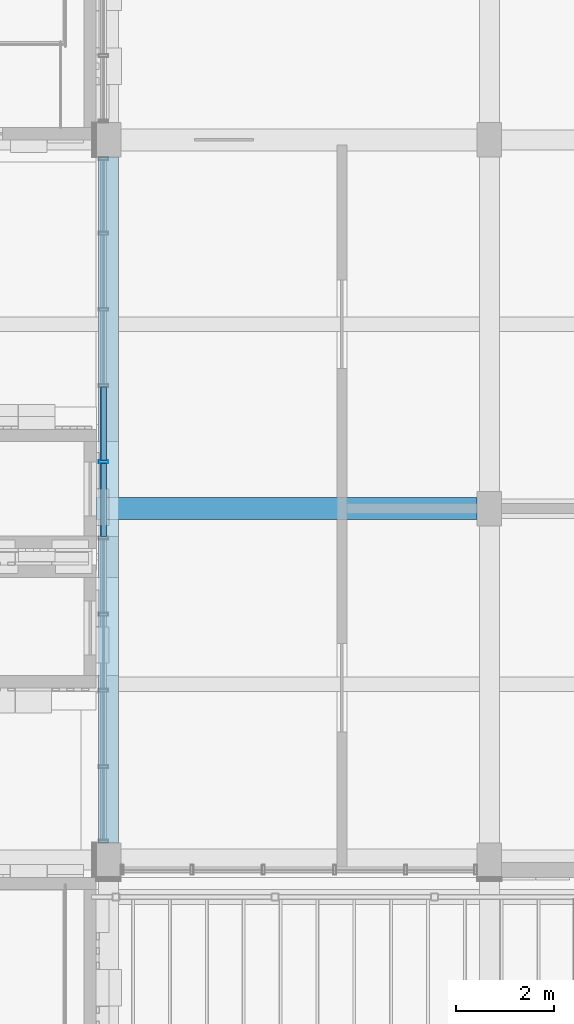
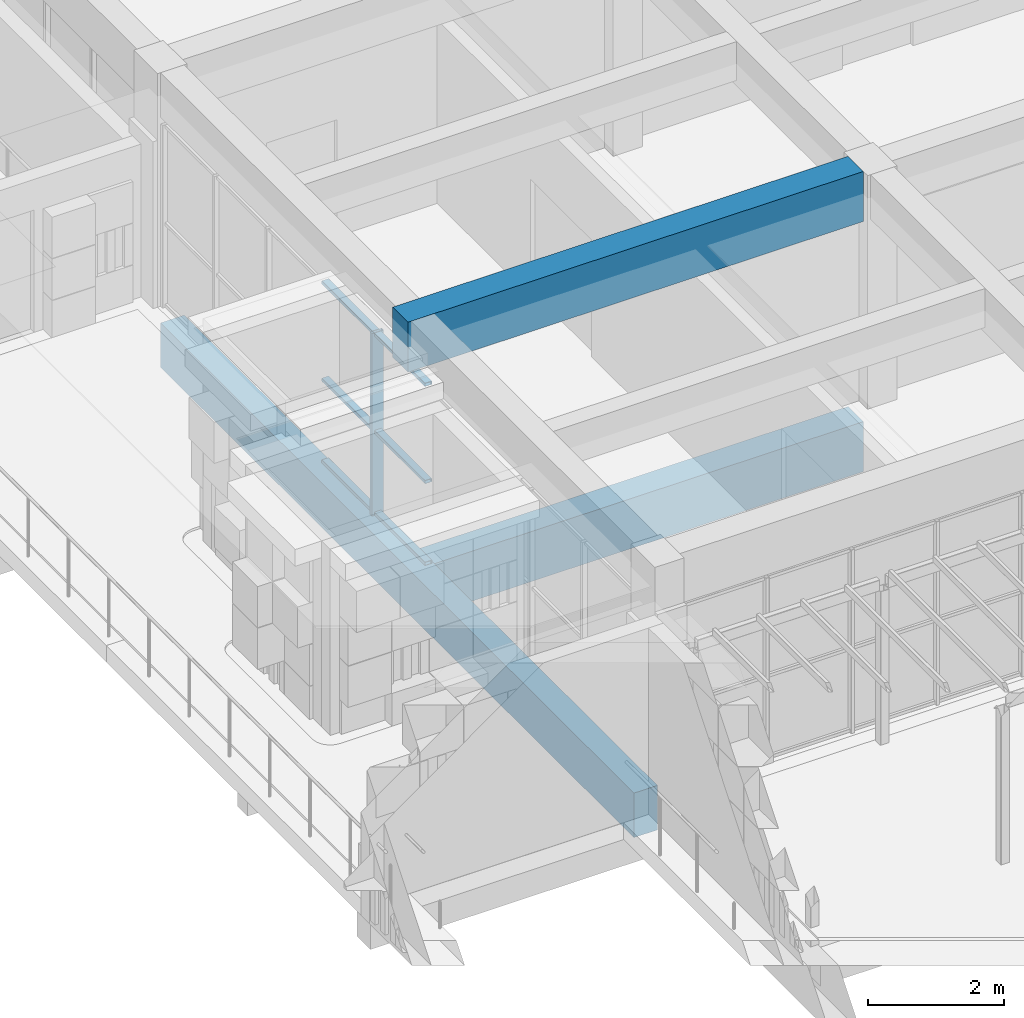
# One storey, part 6 of 26: 7 members, 3 beams, 1 element without a shape of its own.
"""IFC4 building model written with IfcOpenShell, lengths in metres."""

from ifc_helpers import new_model, si_unit, direction, frame, origin, origin_2d, place, context, subcontext, project, spatial, rectangle, hollow_rectangle, extrude, material, material_profile, profile_set, type_object, element, aggregate, save


model = new_model("IFC4")

# Units and contexts
model_context = context("Model", 3, precision=1e-05, world=origin(), true_north=direction((0.0, 1.0)))
body_context = subcontext(model_context, "Body", "Model", "MODEL_VIEW")
ifc_project = project(units=[si_unit("LENGTHUNIT", "METRE"), si_unit("AREAUNIT", "SQUARE_METRE"), si_unit("VOLUMEUNIT", "CUBIC_METRE"), si_unit("PLANEANGLEUNIT", "RADIAN"), si_unit("MASSUNIT", "GRAM", prefix="KILO")], contexts=[model_context])

# Site, building, storey
site_placement = place(None, origin())
site = spatial("IfcSite", under=ifc_project, at=site_placement, CompositionType="ELEMENT")
building_placement = place(site_placement, origin())
building = spatial("IfcBuilding", under=site, at=building_placement, Name="Sun Court Science Centre", CompositionType="ELEMENT")
storey_placement = place(building_placement, frame((0.0, 0.0, 29.25)))
storey = spatial("IfcBuildingStorey", under=building, at=storey_placement, Name="L06", CompositionType="ELEMENT", Elevation=29.25)

# Curtain wall, members
ifc_material_1 = material(Name="Aluminium EN AW-6063 T6", Category="aluminium")
curtain_wall_type = type_object("IfcCurtainWallType", Name="Laboratory tall bay curtain wall 1500", PredefinedType="NOTDEFINED", material=ifc_material_1)
curtain_wall_placement = place(storey_placement, origin())
curtain_wall = element("IfcCurtainWall", 1, at=curtain_wall_placement, inside=storey, type_object=curtain_wall_type, Name="Curtain wall V4 PW L06 01", PredefinedType="NOTDEFINED")
ifc_material_2 = material(Name="Aluminium EN AW-6063 T6", Category="aluminium")
ifc_material_profile_1 = material_profile(ifc_material_2, hollow_rectangle(XDim=0.06005859375, YDim=0.199951171875, WallThickness=0.0048828125, InnerFilletRadius=0.0048828125, OuterFilletRadius=0.007568359375, at=origin_2d()), Name="AL 60x200x5")
ifc_profile_set_1 = profile_set([ifc_material_profile_1], Name="Aluminium EN AW-6063 T6")
member_type_1 = type_object("IfcMemberType", Name="Curtain wall mullion AL 60x200", PredefinedType="MULLION", material=ifc_profile_set_1)
member_1_placement = place(storey_placement, frame((87.14990234375, 51.949951171875, 0.0), z_axis=(0.0, 0.0, 1.0), x_axis=(0.0, 1.0, 0.0)))
member_1 = element("IfcMember", 2, at=member_1_placement, type_object=member_type_1, Name="CW2-78 mullion 6", PredefinedType="MULLION", context=body_context, shape_type="SweptSolid", body=[
    extrude(hollow_rectangle(XDim=0.06005859375, YDim=0.199951171875, WallThickness=0.0048828125, InnerFilletRadius=0.0048828125, OuterFilletRadius=0.007568359375, at=origin_2d()), origin(), (0.0, 0.0, 1.0), 3.280029296875),
])
ifc_material_3 = material(Name="Aluminium EN AW-6063 T6", Category="aluminium")
ifc_material_profile_2 = material_profile(ifc_material_3, hollow_rectangle(XDim=0.06005859375, YDim=0.1201171875, WallThickness=0.00390625, InnerFilletRadius=0.00390625, OuterFilletRadius=0.006103515625, at=origin_2d()), Name="AL 60x120x4")
ifc_profile_set_2 = profile_set([ifc_material_profile_2], Name="Aluminium EN AW-6063 T6")
member_type_2 = type_object("IfcMemberType", Name="Curtain wall transom AL 60x120", PredefinedType="USERDEFINED", material=ifc_profile_set_2)
member_2_placement = place(storey_placement, frame((87.14990234375, 50.429931640625, 0.030029296875), z_axis=(0.0, 1.0, 0.0), x_axis=(0.0, 0.0, 1.0)))
member_2 = element("IfcMember", 3, at=member_2_placement, type_object=member_type_2, Name="CW2-78 transom 5.1", ObjectType="TRANSOM", PredefinedType="USERDEFINED", context=body_context, shape_type="SweptSolid", body=[
    extrude(hollow_rectangle(XDim=0.06005859375, YDim=0.1201171875, WallThickness=0.00390625, InnerFilletRadius=0.00390625, OuterFilletRadius=0.006103515625, at=origin_2d()), origin(), (0.0, 0.0, 1.0), 1.489990234375),
])
member_3_placement = place(storey_placement, frame((87.14990234375, 51.97998046875, 0.030029296875), z_axis=(0.0, 1.0, 0.0), x_axis=(0.0, 0.0, 1.0)))
member_3 = element("IfcMember", 4, at=member_3_placement, type_object=member_type_2, Name="CW2-78 transom 6.1", ObjectType="TRANSOM", PredefinedType="USERDEFINED", context=body_context, shape_type="SweptSolid", body=[
    extrude(hollow_rectangle(XDim=0.06005859375, YDim=0.1201171875, WallThickness=0.00390625, InnerFilletRadius=0.00390625, OuterFilletRadius=0.006103515625, at=origin_2d()), origin(), (0.0, 0.0, 1.0), 1.489990234375),
])
member_4_placement = place(storey_placement, frame((87.14990234375, 50.429931640625, 1.5), z_axis=(0.0, 1.0, 0.0), x_axis=(0.0, 0.0, 1.0)))
member_4 = element("IfcMember", 5, at=member_4_placement, type_object=member_type_2, Name="CW2-78 transom 5.2", ObjectType="TRANSOM", PredefinedType="USERDEFINED", context=body_context, shape_type="SweptSolid", body=[
    extrude(hollow_rectangle(XDim=0.06005859375, YDim=0.1201171875, WallThickness=0.00390625, InnerFilletRadius=0.00390625, OuterFilletRadius=0.006103515625, at=origin_2d()), origin(), (0.0, 0.0, 1.0), 1.489990234375),
])
member_5_placement = place(storey_placement, frame((87.14990234375, 51.97998046875, 1.5), z_axis=(0.0, 1.0, 0.0), x_axis=(0.0, 0.0, 1.0)))
member_5 = element("IfcMember", 6, at=member_5_placement, type_object=member_type_2, Name="CW2-78 transom 6.2", ObjectType="TRANSOM", PredefinedType="USERDEFINED", context=body_context, shape_type="SweptSolid", body=[
    extrude(hollow_rectangle(XDim=0.06005859375, YDim=0.1201171875, WallThickness=0.00390625, InnerFilletRadius=0.00390625, OuterFilletRadius=0.006103515625, at=origin_2d()), origin(), (0.0, 0.0, 1.0), 1.489990234375),
])
member_6_placement = place(storey_placement, frame((87.14990234375, 50.429931640625, 3.25), z_axis=(0.0, 1.0, 0.0), x_axis=(0.0, 0.0, 1.0)))
member_6 = element("IfcMember", 7, at=member_6_placement, type_object=member_type_2, Name="CW2-78 transom 5.3", ObjectType="TRANSOM", PredefinedType="USERDEFINED", context=body_context, shape_type="SweptSolid", body=[
    extrude(hollow_rectangle(XDim=0.06005859375, YDim=0.1201171875, WallThickness=0.00390625, InnerFilletRadius=0.00390625, OuterFilletRadius=0.006103515625, at=origin_2d()), origin(), (0.0, 0.0, 1.0), 1.489990234375),
])
member_7_placement = place(storey_placement, frame((87.14990234375, 51.97998046875, 3.25), z_axis=(0.0, 1.0, 0.0), x_axis=(0.0, 0.0, 1.0)))
member_7 = element("IfcMember", 8, at=member_7_placement, type_object=member_type_2, Name="CW2-78 transom 6.3", ObjectType="TRANSOM", PredefinedType="USERDEFINED", context=body_context, shape_type="SweptSolid", body=[
    extrude(hollow_rectangle(XDim=0.06005859375, YDim=0.1201171875, WallThickness=0.00390625, InnerFilletRadius=0.00390625, OuterFilletRadius=0.006103515625, at=origin_2d()), origin(), (0.0, 0.0, 1.0), 1.489990234375),
])
aggregate(curtain_wall, [member_1, member_2, member_3, member_4, member_5, member_6, member_7])

# Beams
ifc_material_4 = material(Name="Concrete C25/30", Category="concrete")
ifc_material_profile_3 = material_profile(ifc_material_4, rectangle(XDim=0.39990234375, YDim=0.800048828125, at=origin_2d()), Name="RC 400x800")
ifc_profile_set_3 = profile_set([ifc_material_profile_3], Name="Concrete C25/30")
beam_type_1 = type_object("IfcBeamType", Name="RC girder 400x800", PredefinedType="BEAM", material=ifc_profile_set_3)
beam_1_placement = place(storey_placement, frame((87.25, 44.199951171875, -0.699951171875), z_axis=(0.0, 1.0, 0.0), x_axis=(-1.0, 0.0, 0.0)))
element("IfcBeam", 9, at=beam_1_placement, inside=storey, type_object=beam_type_1, Name="Girder L06 line 1", PredefinedType="BEAM", context=body_context, shape_type="SweptSolid", body=[
    extrude(rectangle(XDim=0.39990234375, YDim=0.800048828125, at=origin_2d()), origin(), (0.0, 0.0, 1.0), 13.949951171875),
])
ifc_material_5 = material(Name="Concrete C25/30", Category="concrete")
ifc_material_profile_4 = material_profile(ifc_material_5, rectangle(XDim=0.449951171875, YDim=0.89990234375, at=origin_2d()), Name="RC 450x900")
ifc_profile_set_4 = profile_set([ifc_material_profile_4], Name="Concrete C25/30")
beam_type_2 = type_object("IfcBeamType", Name="RC girder 450x900", PredefinedType="BEAM", material=ifc_profile_set_4)
beam_2_placement = place(storey_placement, frame((87.25244140625, 51.0, -0.75), z_axis=(1.0, 0.0, 0.0), x_axis=(0.0, 1.0, 0.0)))
element("IfcBeam", 10, at=beam_2_placement, inside=storey, type_object=beam_type_2, Name="Girder L06 row 4", PredefinedType="BEAM", context=body_context, shape_type="SweptSolid", body=[
    extrude(rectangle(XDim=0.449951171875, YDim=0.89990234375, at=origin_2d()), origin(), (0.0, 0.0, 1.0), 7.49755859375),
])
beam_3_placement = place(storey_placement, frame((87.0, 51.0, 3.75), z_axis=(1.0, 0.0, 0.0), x_axis=(0.0, 1.0, 0.0)))
element("IfcBeam", 11, at=beam_3_placement, inside=storey, type_object=beam_type_2, Name="Girder L06P row 2", PredefinedType="BEAM", context=body_context, shape_type="SweptSolid", body=[
    extrude(rectangle(XDim=0.449951171875, YDim=0.89990234375, at=origin_2d()), origin(), (0.0, 0.0, 1.0), 7.75),
])

save(model, "model.ifc")
